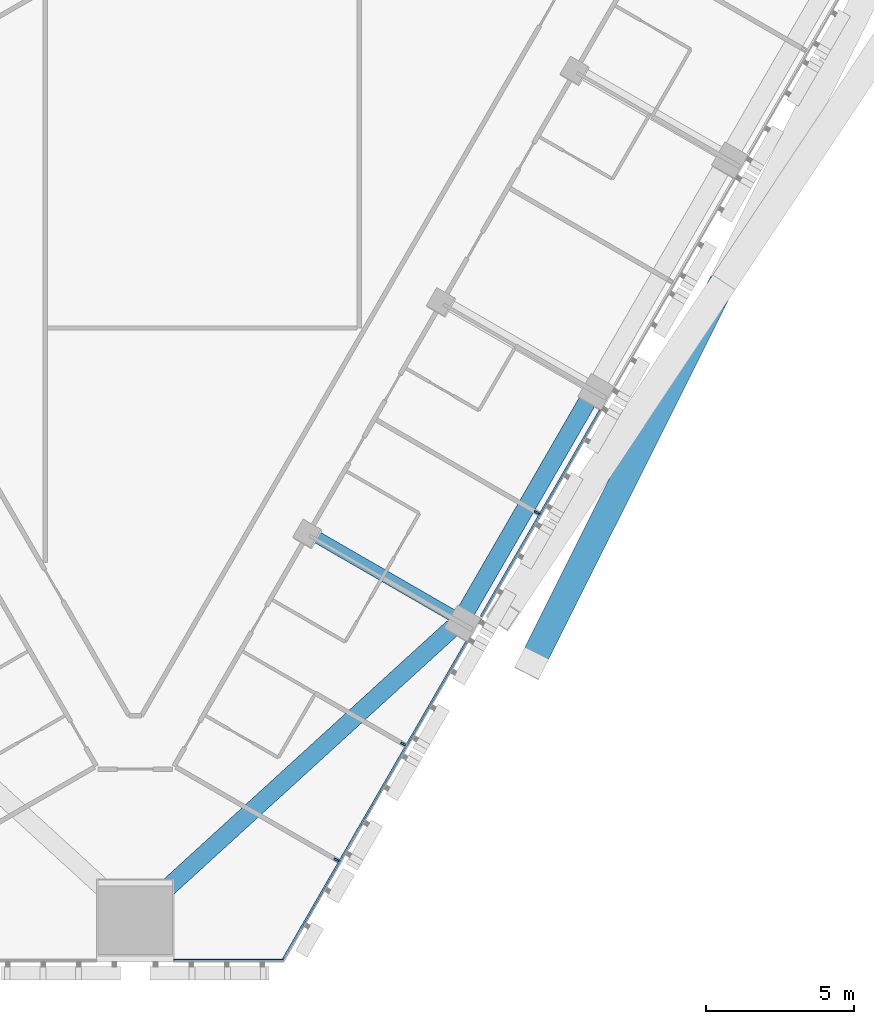
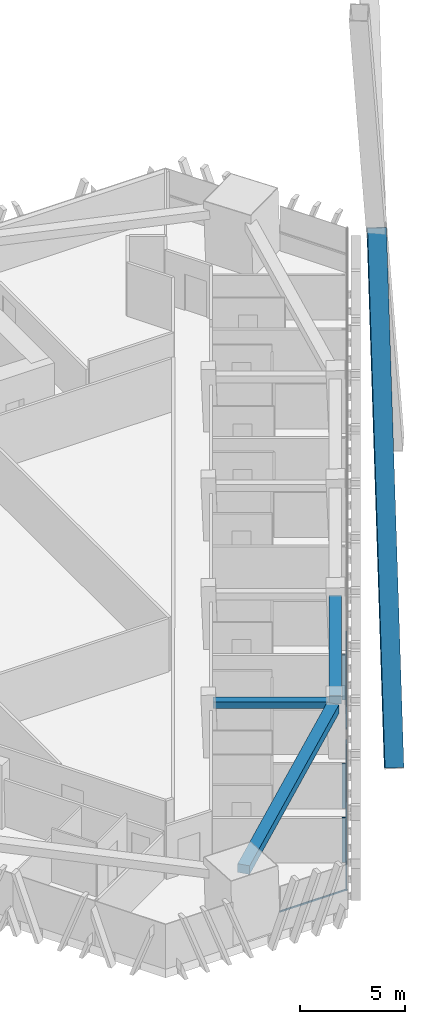
# One storey, part 7 of 24: 7 members, 3 beams, 2 elements without a shape of their own.
"""IFC4 building model written with IfcOpenShell, lengths in metres."""

from ifc_helpers import new_model, si_unit, direction, frame, origin, origin_2d, place, context, subcontext, project, spatial, rectangle, hollow_rectangle, extrude, material, layer, layer_set, material_profile, profile_set, type_object, element, aggregate, save


model = new_model("IFC4")

# Units and contexts
model_context = context("Model", 3, precision=1e-05, world=origin(), true_north=direction((0.0, 1.0)))
body_context = subcontext(model_context, "Body", "Model", "MODEL_VIEW")
ifc_project = project(units=[si_unit("LENGTHUNIT", "METRE"), si_unit("AREAUNIT", "SQUARE_METRE"), si_unit("VOLUMEUNIT", "CUBIC_METRE"), si_unit("PLANEANGLEUNIT", "RADIAN"), si_unit("MASSUNIT", "GRAM", prefix="KILO")], contexts=[model_context])

# Site, building, storey
site_placement = place(None, origin())
site = spatial("IfcSite", under=ifc_project, at=site_placement, CompositionType="ELEMENT")
building_placement = place(site_placement, origin())
building = spatial("IfcBuilding", under=site, at=building_placement, Name="Altiplano Prism Tower", CompositionType="ELEMENT")
storey_placement = place(building_placement, frame((0.0, 0.0, 27.0)))
storey = spatial("IfcBuildingStorey", under=building, at=storey_placement, Name="L05", CompositionType="ELEMENT", Elevation=27.0)

# Curtain wall, members
ifc_material_1 = material(Name="Aluminium and glass", Category="aluminium")
ifc_layer = layer(ifc_material_1, 0.280029296875)
ifc_layer_set = layer_set([ifc_layer], Name="Aluminium and glass")
curtain_wall_type = type_object("IfcCurtainWallType", Name="CW1 typical co-living unitised curtain wall", PredefinedType="NOTDEFINED", material=ifc_layer_set)
curtain_wall_1_placement = place(storey_placement, origin())
curtain_wall_1 = element("IfcCurtainWall", 1, at=curtain_wall_1_placement, inside=storey, type_object=curtain_wall_type, Name="CW1 curtain wall south-east face L05", PredefinedType="NOTDEFINED")
ifc_material_2 = material(Name="Aluminium", Category="aluminium")
ifc_material_profile_1 = material_profile(ifc_material_2, rectangle(XDim=0.179931640625, YDim=0.06494140625, at=origin_2d()), Name="CW1 mullion 65 x 180")
ifc_profile_set_1 = profile_set([ifc_material_profile_1], Name="Aluminium")
member_type_1 = type_object("IfcMemberType", Name="CW1 mullion 65 x 180", PredefinedType="MULLION", material=ifc_profile_set_1)
member_1_placement = place(storey_placement, frame((91.77197265625, 54.109375, 0.0), z_axis=(0.0, 0.0, 1.0), x_axis=(-0.866025403802, 0.49999999997, 0.0)))
member_1 = element("IfcMember", 2, at=member_1_placement, type_object=member_type_1, Name="CW1 mullion", PredefinedType="MULLION", context=body_context, shape_type="SweptSolid", body=[
    extrude(rectangle(XDim=0.179931640625, YDim=0.06494140625, at=origin_2d()), origin(), (0.0, 0.0, 1.0), 2.60009765625),
])
member_2_placement = place(storey_placement, frame((94.02197265625, 58.006591796875, 0.0), z_axis=(0.0, 0.0, 1.0), x_axis=(-0.866025403802, 0.49999999997, 0.0)))
member_2 = element("IfcMember", 3, at=member_2_placement, type_object=member_type_1, Name="CW1 mullion", PredefinedType="MULLION", context=body_context, shape_type="SweptSolid", body=[
    extrude(rectangle(XDim=0.179931640625, YDim=0.06494140625, at=origin_2d()), origin(), (0.0, 0.0, 1.0), 2.60009765625),
])
member_3_placement = place(storey_placement, frame((98.52197265625, 65.80078125, 0.0), z_axis=(0.0, 0.0, 1.0), x_axis=(-0.866025403802, 0.49999999997, 0.0)))
member_3 = element("IfcMember", 4, at=member_3_placement, type_object=member_type_1, Name="CW1 mullion", PredefinedType="MULLION", context=body_context, shape_type="SweptSolid", body=[
    extrude(rectangle(XDim=0.179931640625, YDim=0.06494140625, at=origin_2d()), origin(), (0.0, 0.0, 1.0), 2.60009765625),
])

# Curtain wall, member
curtain_wall_2_placement = place(storey_placement, origin())
curtain_wall_2 = element("IfcCurtainWall", 5, at=curtain_wall_2_placement, inside=storey, type_object=curtain_wall_type, Name="CW1 curtain wall south chamfer L05", PredefinedType="NOTDEFINED")
ifc_material_profile_2 = material_profile(ifc_material_2, rectangle(XDim=0.06005859375, YDim=0.080078125, at=origin_2d()), Name="CW1 transom 80 x 60")
ifc_profile_set_2 = profile_set([ifc_material_profile_2], Name="Aluminium")
member_type_2 = type_object("IfcMemberType", Name="CW1 transom 80 x 60", PredefinedType="USERDEFINED", material=ifc_profile_set_2)
member_4_placement = place(storey_placement, frame((86.300048828125, 50.730224609375, 1.10009765625), z_axis=(1.0, 0.0, 0.0), x_axis=(0.0, 1.0, 0.0)))
member_4 = element("IfcMember", 6, at=member_4_placement, type_object=member_type_2, Name="CW1 transom", ObjectType="TRANSOM", PredefinedType="USERDEFINED", context=body_context, shape_type="SweptSolid", body=[
    extrude(rectangle(XDim=0.06005859375, YDim=0.080078125, at=origin_2d()), origin(), (0.0, 0.0, 1.0), 3.699951171875),
])
aggregate(curtain_wall_2, [member_4])

# Member
member_5_placement = place(storey_placement, frame((89.939453125, 50.6953125, 1.10009765625), z_axis=(0.500000890122, 0.866024889872, 0.0), x_axis=(-0.866024889872, 0.500000890122, 0.0)))
member_5 = element("IfcMember", 7, at=member_5_placement, type_object=member_type_2, Name="CW1 transom", ObjectType="TRANSOM", PredefinedType="USERDEFINED", context=body_context, shape_type="SweptSolid", body=[
    extrude(rectangle(XDim=0.06005859375, YDim=0.080078125, at=origin_2d()), origin(), (0.0, 0.0, 1.0), 12.42236328125),
])

member_6_placement = place(storey_placement, frame((96.640625, 62.30224609375, 1.10009765625), z_axis=(0.500012318566, 0.86601829154, 0.0), x_axis=(-0.86601829154, 0.500012318566, 0.0)))
member_6 = element("IfcMember", 8, at=member_6_placement, type_object=member_type_2, Name="CW1 transom", ObjectType="TRANSOM", PredefinedType="USERDEFINED", context=body_context, shape_type="SweptSolid", body=[
    extrude(rectangle(XDim=0.06005859375, YDim=0.080078125, at=origin_2d()), origin(), (0.0, 0.0, 1.0), 8.019775390625),
])

aggregate(curtain_wall_1, [member_1, member_2, member_5, member_3, member_6])

# Beams
ifc_material_3 = material(Name="Concrete C60/75", Category="concrete")
ifc_material_profile_3 = material_profile(ifc_material_3, rectangle(XDim=0.60009765625, YDim=0.5, at=origin_2d()), Name="Edge beam 600x500")
ifc_profile_set_3 = profile_set([ifc_material_profile_3], Name="Concrete C60/75")
beam_type_1 = type_object("IfcBeamType", Name="Edge beam 600x500", PredefinedType="SPANDREL", material=ifc_profile_set_3)
beam_1_placement = place(storey_placement, frame((85.33251953125, 52.473876953125, 2.85009765625), z_axis=(0.738875376437, 0.673842101753, 0.0), x_axis=(-0.673842101753, 0.738875376437, 0.0)))
element("IfcBeam", 9, at=beam_1_placement, inside=storey, type_object=beam_type_1, Name="Edge beam M1-P21 L06", PredefinedType="SPANDREL", context=body_context, shape_type="SweptSolid", body=[
    extrude(rectangle(XDim=0.60009765625, YDim=0.5, at=origin_2d()), origin(), (0.0, 0.0, 1.0), 14.040283203125),
])
beam_2_placement = place(storey_placement, frame((96.1318359375, 62.4580078125, 2.85009765625), z_axis=(0.499992746786, 0.866029591389, 0.0), x_axis=(-0.866029591389, 0.499992746786, 0.0)))
element("IfcBeam", 10, at=beam_2_placement, inside=storey, type_object=beam_type_1, Name="Edge beam P21-P22 L06", PredefinedType="SPANDREL", context=body_context, shape_type="SweptSolid", body=[
    extrude(rectangle(XDim=0.60009765625, YDim=0.5, at=origin_2d()), origin(), (0.0, 0.0, 1.0), 8.33984375),
])

# Member
ifc_material_4 = material(Name="Steel S355", Category="steel")
ifc_material_profile_4 = material_profile(ifc_material_4, hollow_rectangle(XDim=0.89990234375, YDim=0.89990234375, WallThickness=0.0400390625, at=origin_2d()), Name="Mega brace Box 900x900x40")
ifc_profile_set_4 = profile_set([ifc_material_profile_4], Name="Steel S355")
member_type_3 = type_object("IfcMemberType", Name="Mega brace Box 900x900x40", PredefinedType="BRACE", material=ifc_profile_set_4)
member_7_placement = place(storey_placement, frame((98.3515625, 60.72802734375, -0.81640625), z_axis=(0.243563831713, 0.486453260802, 0.839070846196), x_axis=(-0.894179121509, 0.447709390853, 0.0)))
element("IfcMember", 11, at=member_7_placement, inside=storey, type_object=member_type_3, Name="Mega brace 1.2.1", PredefinedType="BRACE", context=body_context, shape_type="SweptSolid", body=[
    extrude(hollow_rectangle(XDim=0.89990234375, YDim=0.89990234375, WallThickness=0.0400390625, at=origin_2d()), origin(), (0.0, 0.0, 1.0), 25.70263671875),
])

# Beam
ifc_material_profile_5 = material_profile(ifc_material_3, rectangle(XDim=0.39990234375, YDim=0.39990234375, at=origin_2d()), Name="Tie beam 400x400")
ifc_profile_set_5 = profile_set([ifc_material_profile_5], Name="Concrete C60/75")
beam_type_2 = type_object("IfcBeamType", Name="Tie beam 400x400", PredefinedType="BEAM", material=ifc_profile_set_5)
beam_3_placement = place(storey_placement, frame((90.926513671875, 65.082275390625, 2.89990234375), z_axis=(0.866023410697, -0.500003452112, 0.0), x_axis=(0.500003452112, 0.866023410697, 0.0)))
element("IfcBeam", 12, at=beam_3_placement, inside=storey, type_object=beam_type_2, Name="Tie beam I21 L06", PredefinedType="BEAM", context=body_context, shape_type="SweptSolid", body=[
    extrude(rectangle(XDim=0.39990234375, YDim=0.39990234375, at=origin_2d()), origin(), (0.0, 0.0, 1.0), 5.490234375),
])

save(model, "model.ifc")
